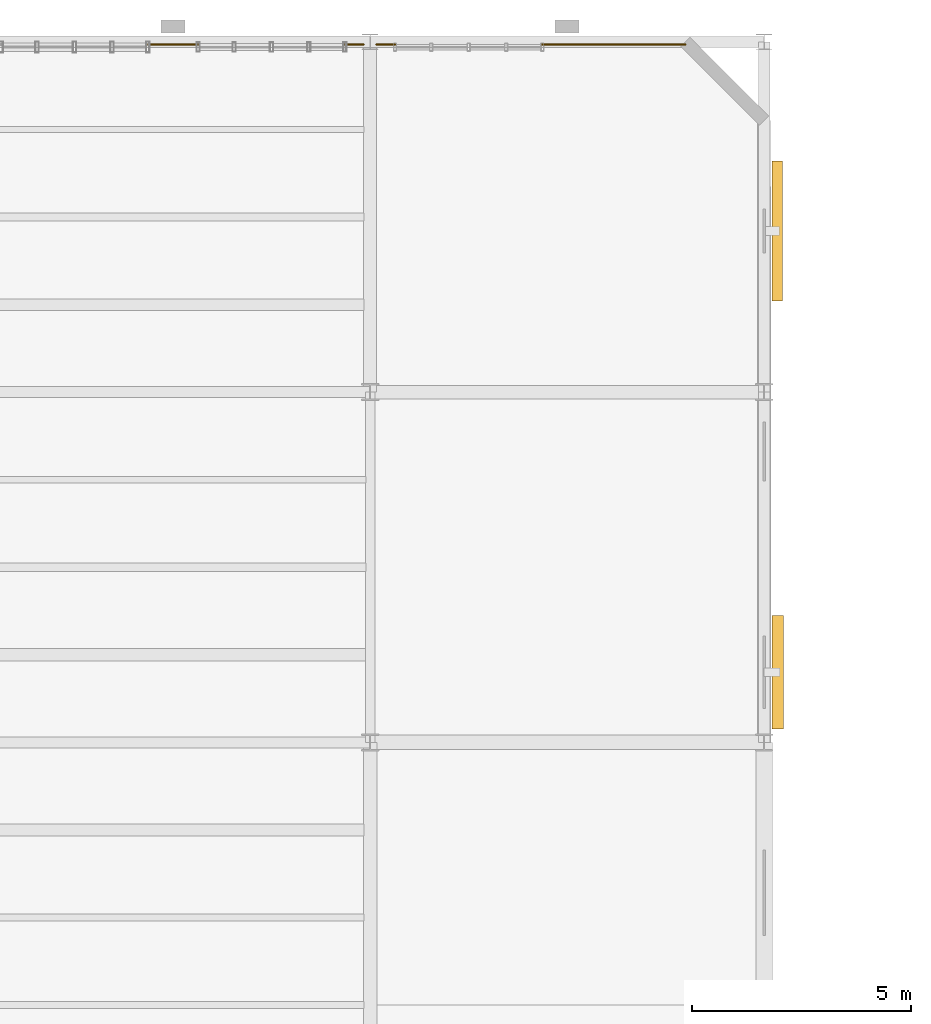
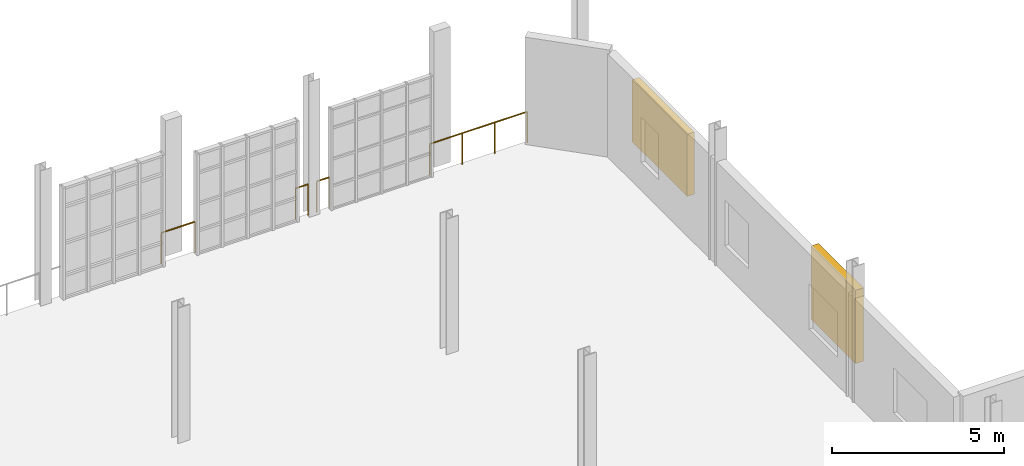
# One storey, part 120 of 122: 4 railings, 2 shading devices.
"""IFC4 building model written with IfcOpenShell, lengths in metres."""

from ifc_helpers import new_model, si_unit, direction, frame, frame_2d, origin, origin_2d, place, context, subcontext, project, spatial, rectangle, circle, extrude, material, type_object, element, save


model = new_model("IFC4")

# Units and contexts
model_context = context("Model", 3, precision=1e-05, world=origin(), true_north=direction((0.0, 1.0)))
body_context = subcontext(model_context, "Body", "Model", "MODEL_VIEW")
ifc_project = project(units=[si_unit("LENGTHUNIT", "METRE"), si_unit("AREAUNIT", "SQUARE_METRE"), si_unit("VOLUMEUNIT", "CUBIC_METRE"), si_unit("PLANEANGLEUNIT", "RADIAN"), si_unit("MASSUNIT", "GRAM", prefix="KILO"), si_unit("THERMODYNAMICTEMPERATUREUNIT", "KELVIN"), si_unit("POWERUNIT", "WATT")], contexts=[model_context])

# Site, building, storey
site_placement = place(None, origin())
site = spatial("IfcSite", under=ifc_project, at=site_placement, CompositionType="ELEMENT")
building_placement = place(site_placement, origin())
building = spatial("IfcBuilding", under=site, at=building_placement, Name="Zelmaris Science Centre", CompositionType="ELEMENT")
storey_placement = place(building_placement, frame((0.0, 0.0, 10.800048828125)))
storey = spatial("IfcBuildingStorey", under=building, at=storey_placement, Name="L02", CompositionType="ELEMENT", Elevation=10.800048828125)

# Railings
ifc_material = material(Name="Architectural bronze alloy C28000")
railing_type = type_object("IfcRailingType", Name="Balustrade GD-01 H1120", PredefinedType="BALUSTRADE", material=ifc_material)
railing_1_placement = place(storey_placement, frame((93.929931640625, 87.93994140625, 0.0)))
element("IfcRailing", 1, at=railing_1_placement, inside=storey, type_object=railing_type, Name="L02 Perimeter safety balustrade 184", PredefinedType="BALUSTRADE", context=body_context, shape_type="SweptSolid", body=[
    extrude(circle(Radius=0.02392578125, at=origin_2d()), frame((0.0, 0.0, 1.09619140625), z_axis=(1.0, 0.0, 0.0), x_axis=(0.0, 1.0, 0.0)), (0.0, 0.0, 1.0), 1.14013671875),
    extrude(circle(Radius=0.02099609375, at=origin_2d()), origin(), (0.0, 0.0, 1.0), 1.072021484375),
    extrude(circle(Radius=0.02099609375, at=origin_2d()), frame((1.14013671875, 0.0, 0.0)), (0.0, 0.0, 1.0), 1.072021484375),
])
for number, where, name in (
    (2, (98.429931640625, 87.93994140625, 0.0), "L02 Perimeter safety balustrade 185"),
    (3, (99.14794921875, 87.93994140625, 0.0), "L02 Perimeter safety balustrade 186"),
):
    element("IfcRailing", number, at=place(storey_placement, frame(where)), inside=storey, type_object=railing_type, Name=name, PredefinedType="BALUSTRADE", context=body_context, shape_type="SweptSolid", body=[
        extrude(circle(Radius=0.02392578125, at=origin_2d()), frame((0.0, 0.0, 1.09619140625), z_axis=(1.0, 0.0, 0.0), x_axis=(0.0, 1.0, 0.0)), (0.0, 0.0, 1.0), 0.422119140625),
        extrude(circle(Radius=0.02099609375, at=origin_2d()), origin(), (0.0, 0.0, 1.0), 1.072021484375),
        extrude(circle(Radius=0.02099609375, at=origin_2d()), frame((0.422119140625, 0.0, 0.0)), (0.0, 0.0, 1.0), 1.072021484375),
    ])
railing_2_placement = place(storey_placement, frame((102.929931640625, 87.93994140625, 0.0)))
element("IfcRailing", 4, at=railing_2_placement, inside=storey, type_object=railing_type, Name="L02 Perimeter safety balustrade 187", PredefinedType="BALUSTRADE", context=body_context, shape_type="SweptSolid", body=[
    extrude(circle(Radius=0.02392578125, at=origin_2d()), frame((0.0, 0.0, 1.09619140625), z_axis=(1.0, 0.0, 0.0), x_axis=(0.0, 1.0, 0.0)), (0.0, 0.0, 1.0), 3.27001953125),
    extrude(circle(Radius=0.02099609375, at=origin_2d()), origin(), (0.0, 0.0, 1.0), 1.072021484375),
    extrude(circle(Radius=0.02099609375, at=origin_2d()), frame((1.090087890625, 0.0, 0.0)), (0.0, 0.0, 1.0), 1.072021484375),
    extrude(circle(Radius=0.02099609375, at=origin_2d()), frame((2.179931640625, 0.0, 0.0)), (0.0, 0.0, 1.0), 1.072021484375),
    extrude(circle(Radius=0.02099609375, at=origin_2d()), frame((3.27001953125, 0.0, 0.0)), (0.0, 0.0, 1.0), 1.072021484375),
])

# Shading devices
shading_device_type_1 = type_object("IfcShadingDeviceType", Name="Bronze Storm Louvre LV-02 3200x2200", PredefinedType="JALOUSIE", material=ifc_material)
shading_device_1_placement = place(storey_placement, frame((108.300048828125, 85.2802734375, 0.949951171875), z_axis=(0.0, 0.0, 1.0), x_axis=(0.000152590217, -0.999999988358, 0.0)))
element("IfcShadingDevice", 5, at=shading_device_1_placement, inside=storey, type_object=shading_device_type_1, Name="L02 Bronze storm louvre 20", PredefinedType="JALOUSIE", context=body_context, shape_type="SweptSolid", body=[
    extrude(rectangle(XDim=3.199951171875, YDim=0.239990234375, at=frame_2d((1.60009765625, 0.0))), origin(), (0.0, 0.0, 1.0), 2.199951171875),
])
shading_device_type_2 = type_object("IfcShadingDeviceType", Name="Bronze Storm Louvre LV-03 2600x2600", PredefinedType="JALOUSIE", material=ifc_material)
shading_device_2_placement = place(storey_placement, frame((108.311279296875, 74.901611328125, 0.949951171875), z_axis=(0.0, 0.0, 1.0), x_axis=(0.000187793424, -0.999999982367, 0.0)))
element("IfcShadingDevice", 6, at=shading_device_2_placement, inside=storey, type_object=shading_device_type_2, Name="L02 Bronze storm louvre 21", PredefinedType="JALOUSIE", context=body_context, shape_type="SweptSolid", body=[
    extrude(rectangle(XDim=2.60009765625, YDim=0.260009765625, at=frame_2d((1.300048828125, 0.0))), origin(), (0.0, 0.0, 1.0), 2.60009765625),
])

save(model, "model.ifc")
